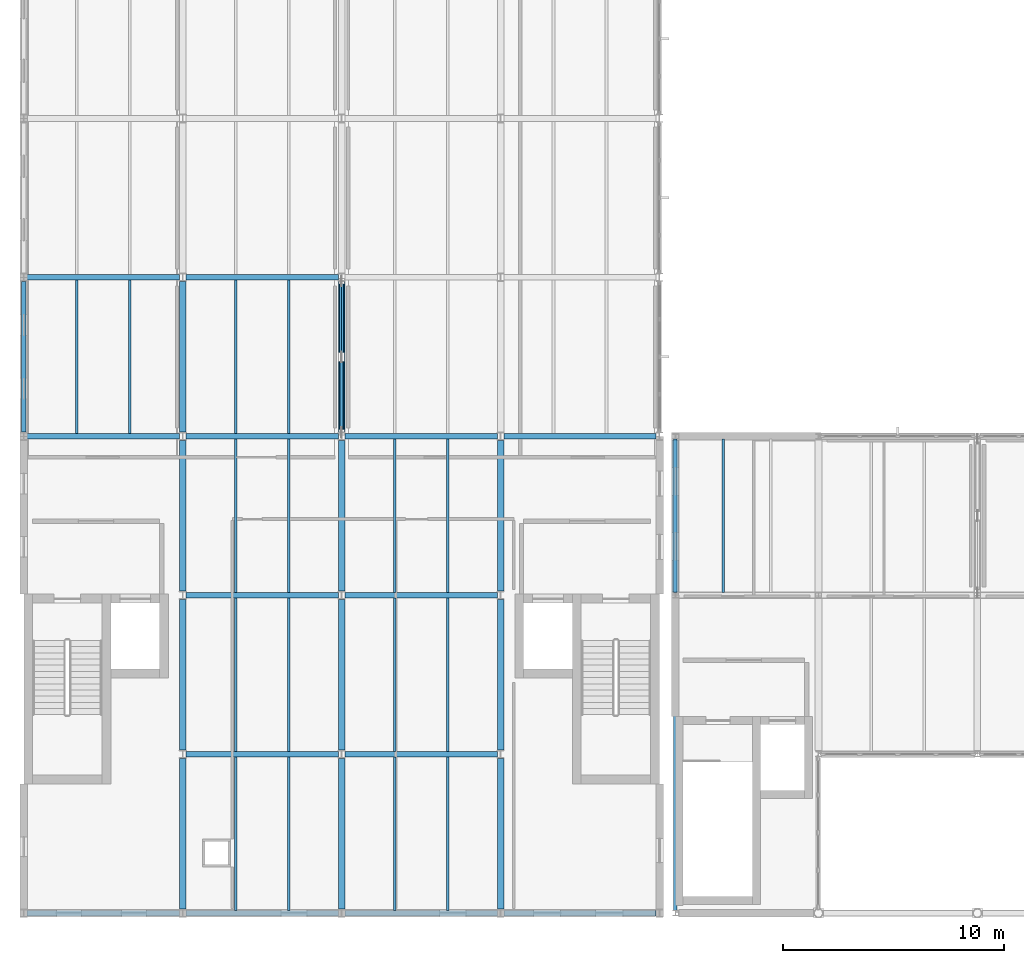
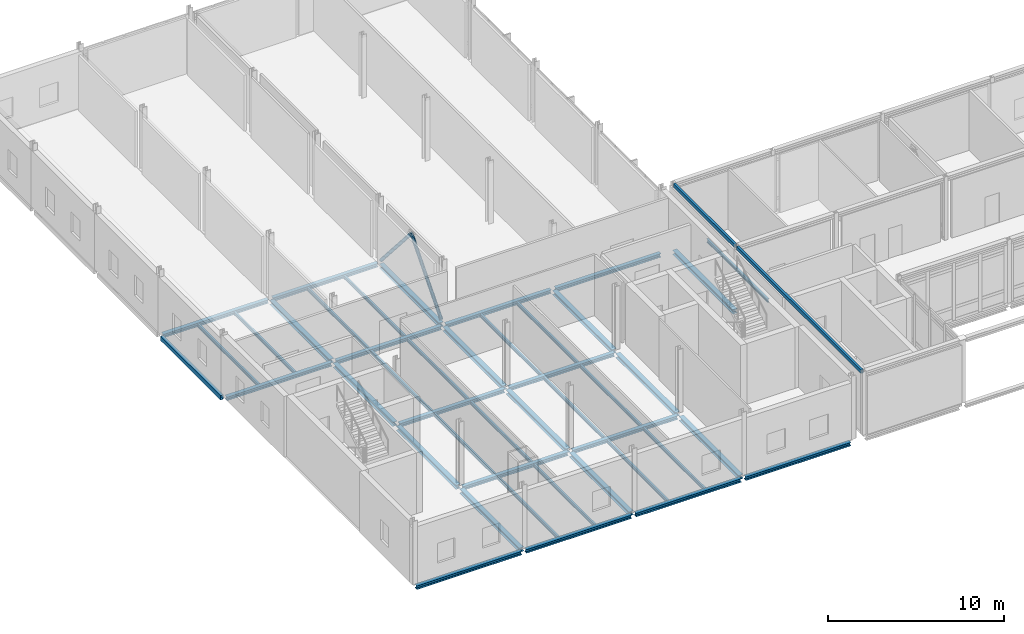
# One storey, part 7 of 43: 46 beams, 2 members.
"""IFC4 building model written with IfcOpenShell, lengths in metres."""

from ifc_helpers import new_model, si_unit, direction, frame, origin, origin_2d, place, context, subcontext, project, spatial, hollow_rectangle, hollow_circle, i_section, extrude, material, material_profile, profile_set, type_object, element, save


model = new_model("IFC4")

# Units and contexts
model_context = context("Model", 3, precision=1e-05, world=origin(), true_north=direction((0.0, 1.0)))
body_context = subcontext(model_context, "Body", "Model", "MODEL_VIEW")
ifc_project = project(units=[si_unit("LENGTHUNIT", "METRE"), si_unit("AREAUNIT", "SQUARE_METRE"), si_unit("VOLUMEUNIT", "CUBIC_METRE"), si_unit("PLANEANGLEUNIT", "RADIAN"), si_unit("MASSUNIT", "GRAM", prefix="KILO")], contexts=[model_context])

# Site, building, storey
site_placement = place(None, origin())
site = spatial("IfcSite", under=ifc_project, at=site_placement, CompositionType="ELEMENT")
building_placement = place(site_placement, origin())
building = spatial("IfcBuilding", under=site, at=building_placement, Name="Zarrinpeak Specialist Clinic", CompositionType="ELEMENT")
storey_placement = place(building_placement, frame((0.0, 0.0, 18.39990234375)))
storey = spatial("IfcBuildingStorey", under=building, at=storey_placement, Name="L04", CompositionType="ELEMENT", Elevation=18.39990234375)

# Beams
ifc_material = material(Name="Steel S355", Category="steel")
ifc_material_profile_1 = material_profile(ifc_material, i_section(OverallWidth=0.260009765625, OverallDepth=0.25, WebThickness=0.007568359375, FlangeThickness=0.012451171875, FilletRadius=0.02392578125, at=origin_2d()), Name="HEA 260")
ifc_profile_set_1 = profile_set([ifc_material_profile_1], Name="Steel S355")
beam_type_1 = type_object("IfcBeamType", Name="BM-HEA260", PredefinedType="BEAM", material=ifc_profile_set_1)
for number, where, z_axis, x_axis, name in (
    (1, (0.14794921875, 0.0, -0.324951171875), (1.0, 0.0, 0.0), (0.0, 1.0, 0.0), "L04 Primary Floor Girder BM-L04-X1808"),
    (2, (7.347900390625, 0.0, -0.324951171875), (1.0, 0.0, 0.0), (0.0, 1.0, 0.0), "L04 Primary Floor Girder BM-L04-X1809"),
):
    element("IfcBeam", number, at=place(storey_placement, frame(where, z_axis=z_axis, x_axis=x_axis)), inside=storey, type_object=beam_type_1, Name=name, PredefinedType="BEAM", context=body_context, shape_type="SweptSolid", body=[
        extrude(i_section(OverallWidth=0.260009765625, OverallDepth=0.25, WebThickness=0.007568359375, FlangeThickness=0.012451171875, FilletRadius=0.02392578125, at=origin_2d()), origin(), (0.0, 0.0, 1.0), 6.904052734375),
    ])
beam_1_placement = place(storey_placement, frame((14.548095703125, 0.0, -0.324951171875), z_axis=(1.0, 0.0, 0.0), x_axis=(0.0, 1.0, 0.0)))
element("IfcBeam", 3, at=beam_1_placement, inside=storey, type_object=beam_type_1, Name="L04 Primary Floor Girder BM-L04-X1810", PredefinedType="BEAM", context=body_context, shape_type="SweptSolid", body=[
    extrude(i_section(OverallWidth=0.260009765625, OverallDepth=0.25, WebThickness=0.007568359375, FlangeThickness=0.012451171875, FilletRadius=0.02392578125, at=origin_2d()), origin(), (0.0, 0.0, 1.0), 6.90380859375),
])
for number, where, z_axis, x_axis, name in (
    (4, (21.748046875, 0.0, -0.324951171875), (1.0, 0.0, 0.0), (0.0, 1.0, 0.0), "L04 Primary Floor Girder BM-L04-X1811"),
    (5, (7.347900390625, 7.199951171875, -0.324951171875), (1.0, 0.0, 0.0), (0.0, 1.0, 0.0), "L04 Primary Floor Girder BM-L04-X1820"),
):
    element("IfcBeam", number, at=place(storey_placement, frame(where, z_axis=z_axis, x_axis=x_axis)), inside=storey, type_object=beam_type_1, Name=name, PredefinedType="BEAM", context=body_context, shape_type="SweptSolid", body=[
        extrude(i_section(OverallWidth=0.260009765625, OverallDepth=0.25, WebThickness=0.007568359375, FlangeThickness=0.012451171875, FilletRadius=0.02392578125, at=origin_2d()), origin(), (0.0, 0.0, 1.0), 6.904052734375),
    ])
beam_2_placement = place(storey_placement, frame((14.548095703125, 7.199951171875, -0.324951171875), z_axis=(1.0, 0.0, 0.0), x_axis=(0.0, 1.0, 0.0)))
element("IfcBeam", 6, at=beam_2_placement, inside=storey, type_object=beam_type_1, Name="L04 Primary Floor Girder BM-L04-X1821", PredefinedType="BEAM", context=body_context, shape_type="SweptSolid", body=[
    extrude(i_section(OverallWidth=0.260009765625, OverallDepth=0.25, WebThickness=0.007568359375, FlangeThickness=0.012451171875, FilletRadius=0.02392578125, at=origin_2d()), origin(), (0.0, 0.0, 1.0), 6.90380859375),
])
beam_3_placement = place(storey_placement, frame((7.347900390625, 14.39990234375, -0.324951171875), z_axis=(1.0, 0.0, 0.0), x_axis=(0.0, 1.0, 0.0)))
element("IfcBeam", 7, at=beam_3_placement, inside=storey, type_object=beam_type_1, Name="L04 Primary Floor Girder BM-L04-X1825", PredefinedType="BEAM", context=body_context, shape_type="SweptSolid", body=[
    extrude(i_section(OverallWidth=0.260009765625, OverallDepth=0.25, WebThickness=0.007568359375, FlangeThickness=0.012451171875, FilletRadius=0.02392578125, at=origin_2d()), origin(), (0.0, 0.0, 1.0), 6.904052734375),
])
beam_4_placement = place(storey_placement, frame((14.548095703125, 14.39990234375, -0.324951171875), z_axis=(1.0, 0.0, 0.0), x_axis=(0.0, 1.0, 0.0)))
element("IfcBeam", 8, at=beam_4_placement, inside=storey, type_object=beam_type_1, Name="L04 Primary Floor Girder BM-L04-X1826", PredefinedType="BEAM", context=body_context, shape_type="SweptSolid", body=[
    extrude(i_section(OverallWidth=0.260009765625, OverallDepth=0.25, WebThickness=0.007568359375, FlangeThickness=0.012451171875, FilletRadius=0.02392578125, at=origin_2d()), origin(), (0.0, 0.0, 1.0), 6.90380859375),
])
for number, where, z_axis, x_axis, name in (
    (9, (0.14794921875, 21.60009765625, -0.324951171875), (1.0, 0.0, 0.0), (0.0, 1.0, 0.0), "L04 Primary Floor Girder BM-L04-X1835"),
    (10, (7.347900390625, 21.60009765625, -0.324951171875), (1.0, 0.0, 0.0), (0.0, 1.0, 0.0), "L04 Primary Floor Girder BM-L04-X1836"),
):
    element("IfcBeam", number, at=place(storey_placement, frame(where, z_axis=z_axis, x_axis=x_axis)), inside=storey, type_object=beam_type_1, Name=name, PredefinedType="BEAM", context=body_context, shape_type="SweptSolid", body=[
        extrude(i_section(OverallWidth=0.260009765625, OverallDepth=0.25, WebThickness=0.007568359375, FlangeThickness=0.012451171875, FilletRadius=0.02392578125, at=origin_2d()), origin(), (0.0, 0.0, 1.0), 6.904052734375),
    ])
beam_5_placement = place(storey_placement, frame((14.548095703125, 21.60009765625, -0.324951171875), z_axis=(1.0, 0.0, 0.0), x_axis=(0.0, 1.0, 0.0)))
element("IfcBeam", 11, at=beam_5_placement, inside=storey, type_object=beam_type_1, Name="L04 Primary Floor Girder BM-L04-X1837", PredefinedType="BEAM", context=body_context, shape_type="SweptSolid", body=[
    extrude(i_section(OverallWidth=0.260009765625, OverallDepth=0.25, WebThickness=0.007568359375, FlangeThickness=0.012451171875, FilletRadius=0.02392578125, at=origin_2d()), origin(), (0.0, 0.0, 1.0), 6.90380859375),
])
for number, where, z_axis, x_axis, name in (
    (12, (21.748046875, 21.60009765625, -0.324951171875), (1.0, 0.0, 0.0), (0.0, 1.0, 0.0), "L04 Primary Floor Girder BM-L04-X1838"),
    (13, (0.14794921875, 28.800048828125, -0.324951171875), (1.0, 0.0, 0.0), (0.0, 1.0, 0.0), "L04 Primary Floor Girder BM-L04-X1847"),
    (14, (7.347900390625, 28.800048828125, -0.324951171875), (1.0, 0.0, 0.0), (0.0, 1.0, 0.0), "L04 Primary Floor Girder BM-L04-X1848"),
):
    element("IfcBeam", number, at=place(storey_placement, frame(where, z_axis=z_axis, x_axis=x_axis)), inside=storey, type_object=beam_type_1, Name=name, PredefinedType="BEAM", context=body_context, shape_type="SweptSolid", body=[
        extrude(i_section(OverallWidth=0.260009765625, OverallDepth=0.25, WebThickness=0.007568359375, FlangeThickness=0.012451171875, FilletRadius=0.02392578125, at=origin_2d()), origin(), (0.0, 0.0, 1.0), 6.904052734375),
    ])
ifc_material_profile_2 = material_profile(ifc_material, i_section(OverallWidth=0.300048828125, OverallDepth=0.2900390625, WebThickness=0.008544921875, FlangeThickness=0.013916015625, FilletRadius=0.027099609375, at=origin_2d()), Name="HEA 300")
ifc_profile_set_2 = profile_set([ifc_material_profile_2], Name="Steel S355")
beam_type_2 = type_object("IfcBeamType", Name="BM-HEA300", PredefinedType="BEAM", material=ifc_profile_set_2)
for number, where, z_axis, x_axis, name in (
    (15, (7.199951171875, 0.197998046875, -0.344970703125), (0.0, 1.0, 0.0), (-1.0, 0.0, 0.0), "L04 Primary Beam BM-L04-Y1885"),
    (16, (7.199951171875, 7.39794921875, -0.344970703125), (0.0, 1.0, 0.0), (-1.0, 0.0, 0.0), "L04 Primary Beam BM-L04-Y1886"),
):
    element("IfcBeam", number, at=place(storey_placement, frame(where, z_axis=z_axis, x_axis=x_axis)), inside=storey, type_object=beam_type_2, Name=name, PredefinedType="BEAM", context=body_context, shape_type="SweptSolid", body=[
        extrude(i_section(OverallWidth=0.300048828125, OverallDepth=0.2900390625, WebThickness=0.008544921875, FlangeThickness=0.013916015625, FilletRadius=0.027099609375, at=origin_2d()), origin(), (0.0, 0.0, 1.0), 6.803955078125),
    ])
beam_6_placement = place(storey_placement, frame((7.199951171875, 14.597900390625, -0.344970703125), z_axis=(0.0, 1.0, 0.0), x_axis=(-1.0, 0.0, 0.0)))
element("IfcBeam", 17, at=beam_6_placement, inside=storey, type_object=beam_type_2, Name="L04 Primary Beam BM-L04-Y1887", PredefinedType="BEAM", context=body_context, shape_type="SweptSolid", body=[
    extrude(i_section(OverallWidth=0.300048828125, OverallDepth=0.2900390625, WebThickness=0.008544921875, FlangeThickness=0.013916015625, FilletRadius=0.027099609375, at=origin_2d()), origin(), (0.0, 0.0, 1.0), 6.80419921875),
])
for number, where, z_axis, x_axis, name in (
    (18, (7.199951171875, 21.798095703125, -0.344970703125), (0.0, 1.0, 0.0), (-1.0, 0.0, 0.0), "L04 Primary Beam BM-L04-Y1888"),
    (19, (14.39990234375, 0.197998046875, -0.344970703125), (0.0, 1.0, 0.0), (-1.0, 0.0, 0.0), "L04 Primary Beam BM-L04-Y1892"),
    (20, (14.39990234375, 7.39794921875, -0.344970703125), (0.0, 1.0, 0.0), (-1.0, 0.0, 0.0), "L04 Primary Beam BM-L04-Y1893"),
):
    element("IfcBeam", number, at=place(storey_placement, frame(where, z_axis=z_axis, x_axis=x_axis)), inside=storey, type_object=beam_type_2, Name=name, PredefinedType="BEAM", context=body_context, shape_type="SweptSolid", body=[
        extrude(i_section(OverallWidth=0.300048828125, OverallDepth=0.2900390625, WebThickness=0.008544921875, FlangeThickness=0.013916015625, FilletRadius=0.027099609375, at=origin_2d()), origin(), (0.0, 0.0, 1.0), 6.803955078125),
    ])
beam_7_placement = place(storey_placement, frame((14.39990234375, 14.597900390625, -0.344970703125), z_axis=(0.0, 1.0, 0.0), x_axis=(-1.0, 0.0, 0.0)))
element("IfcBeam", 21, at=beam_7_placement, inside=storey, type_object=beam_type_2, Name="L04 Primary Beam BM-L04-Y1894", PredefinedType="BEAM", context=body_context, shape_type="SweptSolid", body=[
    extrude(i_section(OverallWidth=0.300048828125, OverallDepth=0.2900390625, WebThickness=0.008544921875, FlangeThickness=0.013916015625, FilletRadius=0.027099609375, at=origin_2d()), origin(), (0.0, 0.0, 1.0), 6.80419921875),
])
for number, where, z_axis, x_axis, name in (
    (22, (14.39990234375, 21.798095703125, -0.344970703125), (0.0, 1.0, 0.0), (-1.0, 0.0, 0.0), "L04 Primary Beam BM-L04-Y1895"),
    (23, (21.60009765625, 0.197998046875, -0.344970703125), (0.0, 1.0, 0.0), (-1.0, 0.0, 0.0), "L04 Primary Beam BM-L04-Y1899"),
    (24, (21.60009765625, 7.39794921875, -0.344970703125), (0.0, 1.0, 0.0), (-1.0, 0.0, 0.0), "L04 Primary Beam BM-L04-Y1900"),
):
    element("IfcBeam", number, at=place(storey_placement, frame(where, z_axis=z_axis, x_axis=x_axis)), inside=storey, type_object=beam_type_2, Name=name, PredefinedType="BEAM", context=body_context, shape_type="SweptSolid", body=[
        extrude(i_section(OverallWidth=0.300048828125, OverallDepth=0.2900390625, WebThickness=0.008544921875, FlangeThickness=0.013916015625, FilletRadius=0.027099609375, at=origin_2d()), origin(), (0.0, 0.0, 1.0), 6.803955078125),
    ])
beam_8_placement = place(storey_placement, frame((21.60009765625, 14.597900390625, -0.344970703125), z_axis=(0.0, 1.0, 0.0), x_axis=(-1.0, 0.0, 0.0)))
element("IfcBeam", 25, at=beam_8_placement, inside=storey, type_object=beam_type_2, Name="L04 Primary Beam BM-L04-Y1901", PredefinedType="BEAM", context=body_context, shape_type="SweptSolid", body=[
    extrude(i_section(OverallWidth=0.300048828125, OverallDepth=0.2900390625, WebThickness=0.008544921875, FlangeThickness=0.013916015625, FilletRadius=0.027099609375, at=origin_2d()), origin(), (0.0, 0.0, 1.0), 6.80419921875),
])
beam_9_placement = place(storey_placement, frame((29.52001953125, 14.55810546875, -0.344970703125), z_axis=(0.0, 1.0, 0.0), x_axis=(-1.0, 0.0, 0.0)))
element("IfcBeam", 26, at=beam_9_placement, inside=storey, type_object=beam_type_2, Name="L04 Primary Beam BM-L04-Y1910", PredefinedType="BEAM", context=body_context, shape_type="SweptSolid", body=[
    extrude(i_section(OverallWidth=0.300048828125, OverallDepth=0.2900390625, WebThickness=0.008544921875, FlangeThickness=0.013916015625, FilletRadius=0.027099609375, at=origin_2d()), origin(), (0.0, 0.0, 1.0), 6.8837890625),
])
ifc_material_profile_3 = material_profile(ifc_material, i_section(OverallWidth=0.1201171875, OverallDepth=0.239990234375, WebThickness=0.006103515625, FlangeThickness=0.009765625, FilletRadius=0.014892578125, at=origin_2d()), Name="IPE 240")
ifc_profile_set_3 = profile_set([ifc_material_profile_3], Name="Steel S355")
beam_type_3 = type_object("IfcBeamType", Name="BM-JST240", PredefinedType="JOIST", material=ifc_profile_set_3)
for number, where, z_axis, x_axis, name in (
    (27, (2.39990234375, 21.72802734375, -0.31982421875), (0.0, 1.0, 0.0), (-1.0, 0.0, 0.0), "L04 Composite Floor Joist JST-L04-1945"),
    (28, (4.800048828125, 21.72802734375, -0.31982421875), (0.0, 1.0, 0.0), (-1.0, 0.0, 0.0), "L04 Composite Floor Joist JST-L04-1946"),
    (29, (9.60009765625, 0.1279296875, -0.31982421875), (0.0, 1.0, 0.0), (-1.0, 0.0, 0.0), "L04 Composite Floor Joist JST-L04-1953"),
    (30, (12.0, 0.1279296875, -0.31982421875), (0.0, 1.0, 0.0), (-1.0, 0.0, 0.0), "L04 Composite Floor Joist JST-L04-1954"),
    (31, (9.60009765625, 7.327880859375, -0.31982421875), (0.0, 1.0, 0.0), (-1.0, 0.0, 0.0), "L04 Composite Floor Joist JST-L04-1955"),
    (32, (12.0, 7.327880859375, -0.31982421875), (0.0, 1.0, 0.0), (-1.0, 0.0, 0.0), "L04 Composite Floor Joist JST-L04-1956"),
):
    element("IfcBeam", number, at=place(storey_placement, frame(where, z_axis=z_axis, x_axis=x_axis)), inside=storey, type_object=beam_type_3, Name=name, PredefinedType="JOIST", context=body_context, shape_type="SweptSolid", body=[
        extrude(i_section(OverallWidth=0.1201171875, OverallDepth=0.239990234375, WebThickness=0.006103515625, FlangeThickness=0.009765625, FilletRadius=0.014892578125, at=origin_2d()), origin(), (0.0, 0.0, 1.0), 6.944091796875),
    ])
for number, where, z_axis, x_axis, name in (
    (33, (9.60009765625, 14.528076171875, -0.31982421875), (0.0, 1.0, 0.0), (-1.0, 0.0, 0.0), "L04 Composite Floor Joist JST-L04-1957"),
    (34, (12.0, 14.528076171875, -0.31982421875), (0.0, 1.0, 0.0), (-1.0, 0.0, 0.0), "L04 Composite Floor Joist JST-L04-1958"),
):
    element("IfcBeam", number, at=place(storey_placement, frame(where, z_axis=z_axis, x_axis=x_axis)), inside=storey, type_object=beam_type_3, Name=name, PredefinedType="JOIST", context=body_context, shape_type="SweptSolid", body=[
        extrude(i_section(OverallWidth=0.1201171875, OverallDepth=0.239990234375, WebThickness=0.006103515625, FlangeThickness=0.009765625, FilletRadius=0.014892578125, at=origin_2d()), origin(), (0.0, 0.0, 1.0), 6.94384765625),
    ])
for number, where, z_axis, x_axis, name in (
    (35, (9.60009765625, 21.72802734375, -0.31982421875), (0.0, 1.0, 0.0), (-1.0, 0.0, 0.0), "L04 Composite Floor Joist JST-L04-1959"),
    (36, (12.0, 21.72802734375, -0.31982421875), (0.0, 1.0, 0.0), (-1.0, 0.0, 0.0), "L04 Composite Floor Joist JST-L04-1960"),
    (37, (16.800048828125, 0.1279296875, -0.31982421875), (0.0, 1.0, 0.0), (-1.0, 0.0, 0.0), "L04 Composite Floor Joist JST-L04-1967"),
    (38, (19.199951171875, 0.1279296875, -0.31982421875), (0.0, 1.0, 0.0), (-1.0, 0.0, 0.0), "L04 Composite Floor Joist JST-L04-1968"),
    (39, (16.800048828125, 7.327880859375, -0.31982421875), (0.0, 1.0, 0.0), (-1.0, 0.0, 0.0), "L04 Composite Floor Joist JST-L04-1969"),
    (40, (19.199951171875, 7.327880859375, -0.31982421875), (0.0, 1.0, 0.0), (-1.0, 0.0, 0.0), "L04 Composite Floor Joist JST-L04-1970"),
):
    element("IfcBeam", number, at=place(storey_placement, frame(where, z_axis=z_axis, x_axis=x_axis)), inside=storey, type_object=beam_type_3, Name=name, PredefinedType="JOIST", context=body_context, shape_type="SweptSolid", body=[
        extrude(i_section(OverallWidth=0.1201171875, OverallDepth=0.239990234375, WebThickness=0.006103515625, FlangeThickness=0.009765625, FilletRadius=0.014892578125, at=origin_2d()), origin(), (0.0, 0.0, 1.0), 6.944091796875),
    ])
for number, where, z_axis, x_axis, name in (
    (41, (16.800048828125, 14.528076171875, -0.31982421875), (0.0, 1.0, 0.0), (-1.0, 0.0, 0.0), "L04 Composite Floor Joist JST-L04-1971"),
    (42, (19.199951171875, 14.528076171875, -0.31982421875), (0.0, 1.0, 0.0), (-1.0, 0.0, 0.0), "L04 Composite Floor Joist JST-L04-1972"),
    (43, (31.679931640625, 14.528076171875, -0.31982421875), (0.0, 1.0, 0.0), (-1.0, 0.0, 0.0), "L04 Composite Floor Joist JST-L04-1989"),
):
    element("IfcBeam", number, at=place(storey_placement, frame(where, z_axis=z_axis, x_axis=x_axis)), inside=storey, type_object=beam_type_3, Name=name, PredefinedType="JOIST", context=body_context, shape_type="SweptSolid", body=[
        extrude(i_section(OverallWidth=0.1201171875, OverallDepth=0.239990234375, WebThickness=0.006103515625, FlangeThickness=0.009765625, FilletRadius=0.014892578125, at=origin_2d()), origin(), (0.0, 0.0, 1.0), 6.94384765625),
    ])
ifc_material_profile_4 = material_profile(ifc_material, hollow_rectangle(XDim=0.14990234375, YDim=0.25, WallThickness=0.010009765625, at=origin_2d()), Name="RHS 250x150x10.0")
ifc_profile_set_4 = profile_set([ifc_material_profile_4], Name="Steel S355")
beam_type_4 = type_object("IfcBeamType", Name="BM-SP250", PredefinedType="SPANDREL", material=ifc_profile_set_4)
beam_10_placement = place(storey_placement, frame((29.52001953125, 0.117919921875, 4.25), z_axis=(0.0, 1.0, 0.0), x_axis=(-1.0, 0.0, 0.0)))
element("IfcBeam", 44, at=beam_10_placement, inside=storey, type_object=beam_type_4, Name="L04 Gable Eave Spandrel Beam V2 BM-RF-SP-2345", PredefinedType="SPANDREL", context=body_context, shape_type="SweptSolid", body=[
    extrude(hollow_rectangle(XDim=0.14990234375, YDim=0.25, WallThickness=0.010009765625, at=origin_2d()), origin(), (0.0, 0.0, 1.0), 14.1640625),
])
beam_11_placement = place(storey_placement, frame((29.52001953125, 14.51806640625, 4.25), z_axis=(0.0, 1.0, 0.0), x_axis=(-1.0, 0.0, 0.0)))
element("IfcBeam", 45, at=beam_11_placement, inside=storey, type_object=beam_type_4, Name="L04 Gable Eave Spandrel Beam V2 BM-RF-SP-2346", PredefinedType="SPANDREL", context=body_context, shape_type="SweptSolid", body=[
    extrude(hollow_rectangle(XDim=0.14990234375, YDim=0.25, WallThickness=0.010009765625, at=origin_2d()), origin(), (0.0, 0.0, 1.0), 6.9638671875),
])
ifc_material_profile_5 = material_profile(ifc_material, hollow_rectangle(XDim=0.199951171875, YDim=0.300048828125, WallThickness=0.012451171875, at=origin_2d()), Name="RHS 300x200x12.5")
ifc_profile_set_5 = profile_set([ifc_material_profile_5], Name="Steel S355")
beam_type_5 = type_object("IfcBeamType", Name="BM-SP300", PredefinedType="SPANDREL", material=ifc_profile_set_5)
beam_12_placement = place(storey_placement, frame((0.0, 21.798095703125, -0.349853515625), z_axis=(0.0, 1.0, 0.0), x_axis=(-1.0, 0.0, 0.0)))
element("IfcBeam", 46, at=beam_12_placement, inside=storey, type_object=beam_type_5, Name="L04 Perimeter Spandrel Beam BM-L04-Y1881", PredefinedType="SPANDREL", context=body_context, shape_type="SweptSolid", body=[
    extrude(hollow_rectangle(XDim=0.199951171875, YDim=0.300048828125, WallThickness=0.012451171875, at=origin_2d()), origin(), (0.0, 0.0, 1.0), 6.803955078125),
])

# Members
ifc_material_profile_6 = material_profile(ifc_material, hollow_circle(Radius=0.109619140625, WallThickness=0.010009765625, at=origin_2d()), Name="CHS 219.1x10.0")
ifc_profile_set_6 = profile_set([ifc_material_profile_6], Name="Steel S355")
member_type = type_object("IfcMemberType", Name="MB-BR219", PredefinedType="BRACE", material=ifc_profile_set_6)
for number, where, z_axis, x_axis, name in (
    (47, (14.39990234375, 21.780029296875, 0.005126953125), (0.0, 0.657414113732, 0.753529483873), (-1.0, 0.0, 0.0), "V1 L04 Seismic Concentric Brace CBF-009"),
    (48, (14.39990234375, 28.6201171875, 0.005126953125), (0.0, -0.657440760424, 0.753506235232), (1.0, 0.0, 0.0), "V1 L04 Seismic Concentric Brace CBF-010"),
):
    element("IfcMember", number, at=place(storey_placement, frame(where, z_axis=z_axis, x_axis=x_axis)), inside=storey, type_object=member_type, Name=name, PredefinedType="BRACE", context=body_context, shape_type="SweptSolid", body=[
        extrude(hollow_circle(Radius=0.109619140625, WallThickness=0.010009765625, at=origin_2d()), origin(), (0.0, 0.0, 1.0), 5.2021484375),
    ])

save(model, "model.ifc")
